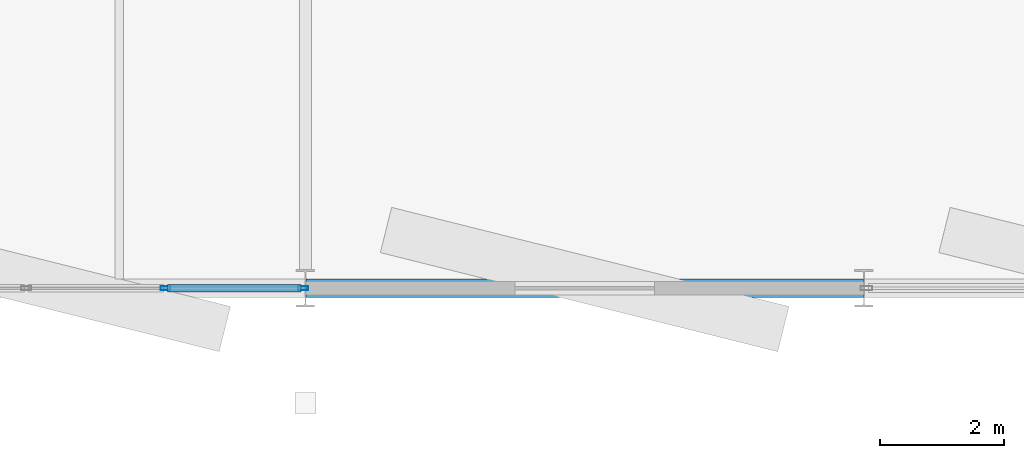
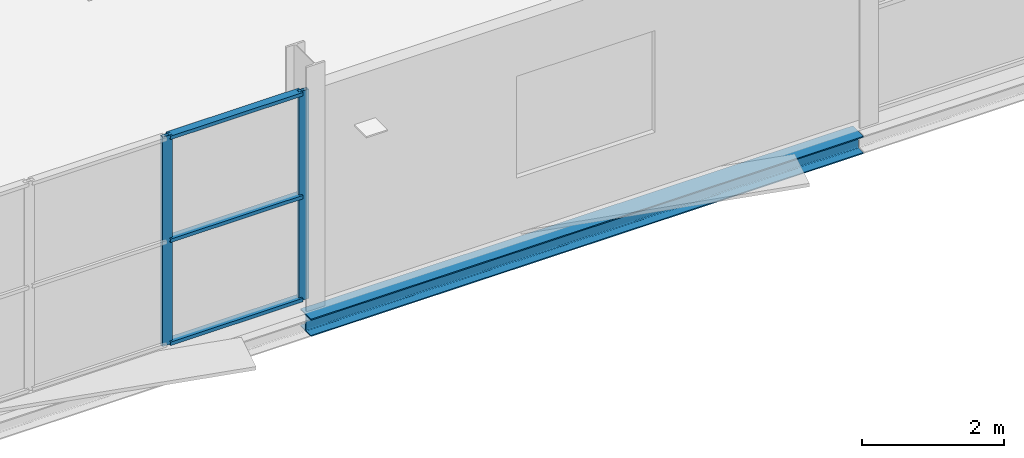
# One storey, part 45 of 88: 5 members, 1 beam, 1 element without a shape of its own.
"""IFC4 building model written with IfcOpenShell, lengths in metres."""

from ifc_helpers import new_model, si_unit, direction, frame, origin, origin_2d, place, context, subcontext, project, spatial, hollow_rectangle, i_section, extrude, material, layer, layer_set, material_profile, profile_set, type_object, element, aggregate, save


model = new_model("IFC4")

# Units and contexts
model_context = context("Model", 3, precision=1e-05, world=origin(), true_north=direction((0.0, 1.0)))
body_context = subcontext(model_context, "Body", "Model", "MODEL_VIEW")
ifc_project = project(units=[si_unit("LENGTHUNIT", "METRE"), si_unit("AREAUNIT", "SQUARE_METRE"), si_unit("VOLUMEUNIT", "CUBIC_METRE"), si_unit("PLANEANGLEUNIT", "RADIAN"), si_unit("MASSUNIT", "GRAM", prefix="KILO")], contexts=[model_context])

# Site, building, storey
site_placement = place(None, origin())
site = spatial("IfcSite", under=ifc_project, at=site_placement, CompositionType="ELEMENT")
building_placement = place(site_placement, origin())
building = spatial("IfcBuilding", under=site, at=building_placement, Name="Deido Ridge Mobility Hub", CompositionType="ELEMENT")
storey_placement = place(building_placement, frame((0.0, 0.0, 16.800048828125)))
storey = spatial("IfcBuildingStorey", under=building, at=storey_placement, Name="L04", CompositionType="ELEMENT", Elevation=16.800048828125)

# Curtain wall, members
ifc_material_1 = material(Name="Anodised aluminium EN AW-6063 T6", Category="aluminium")
ifc_layer = layer(ifc_material_1, 0.195068359375, Name="Anodised aluminium EN AW-6063 T6")
ifc_layer_set = layer_set([ifc_layer], Name="Anodised aluminium EN AW-6063 T6")
curtain_wall_type = type_object("IfcCurtainWallType", Name="CW-UF-3", PredefinedType="USERDEFINED", material=ifc_layer_set)
curtain_wall_placement = place(storey_placement, origin())
curtain_wall = element("IfcCurtainWall", 1, at=curtain_wall_placement, inside=storey, type_object=curtain_wall_type, Name="Unitised curtain wall CW3", ObjectType="UNITISED FACADE", PredefinedType="USERDEFINED")
ifc_material_profile_1 = material_profile(ifc_material_1, hollow_rectangle(XDim=0.06005859375, YDim=0.159912109375, WallThickness=0.00390625, at=origin_2d()), Name="RHS 60x160x4")
ifc_profile_set_1 = profile_set([ifc_material_profile_1], Name="Anodised aluminium EN AW-6063 T6")
member_type_1 = type_object("IfcMemberType", Name="MEM-MUL-60X160", PredefinedType="MULLION", material=ifc_profile_set_1)
member_1_placement = place(storey_placement, frame((159.74609375, 0.0, 0.0), z_axis=(0.0, 0.0, 1.0), x_axis=(0.0, 1.0, 0.0)))
member_1 = element("IfcMember", 2, at=member_1_placement, type_object=member_type_1, Name="CW3 mullion 4", PredefinedType="MULLION", context=body_context, shape_type="SweptSolid", body=[
    extrude(hollow_rectangle(XDim=0.06005859375, YDim=0.159912109375, WallThickness=0.00390625, at=origin_2d()), origin(), (0.0, 0.0, 1.0), 3.599853515625),
])
member_2_placement = place(storey_placement, frame((161.96240234375, 0.0, 0.0), z_axis=(0.0, 0.0, 1.0), x_axis=(0.0, 1.0, 0.0)))
member_2 = element("IfcMember", 3, at=member_2_placement, type_object=member_type_1, Name="CW3 mullion 5", PredefinedType="MULLION", context=body_context, shape_type="SweptSolid", body=[
    extrude(hollow_rectangle(XDim=0.06005859375, YDim=0.159912109375, WallThickness=0.00390625, at=origin_2d()), origin(), (0.0, 0.0, 1.0), 3.599853515625),
])
ifc_material_profile_2 = material_profile(ifc_material_1, hollow_rectangle(XDim=0.125, YDim=0.06005859375, WallThickness=0.00390625, at=origin_2d()), Name="RHS 125x60x4")
ifc_profile_set_2 = profile_set([ifc_material_profile_2], Name="Anodised aluminium EN AW-6063 T6")
member_type_2 = type_object("IfcMemberType", Name="MEM-TRN-125X60", PredefinedType="USERDEFINED", material=ifc_profile_set_2)
member_3_placement = place(storey_placement, frame((159.776123046875, 0.0, 0.030029296875), z_axis=(1.0, 0.0, 0.0), x_axis=(0.0, 1.0, 0.0)))
member_3 = element("IfcMember", 4, at=member_3_placement, type_object=member_type_2, Name="CW3 transom 4.1", ObjectType="TRANSOM", PredefinedType="USERDEFINED", context=body_context, shape_type="SweptSolid", body=[
    extrude(hollow_rectangle(XDim=0.125, YDim=0.06005859375, WallThickness=0.00390625, at=origin_2d()), origin(), (0.0, 0.0, 1.0), 2.15625),
])
member_4_placement = place(storey_placement, frame((159.776123046875, 0.0, 1.800048828125), z_axis=(1.0, 0.0, 0.0), x_axis=(0.0, 1.0, 0.0)))
member_4 = element("IfcMember", 5, at=member_4_placement, type_object=member_type_2, Name="CW3 transom 4.2", ObjectType="TRANSOM", PredefinedType="USERDEFINED", context=body_context, shape_type="SweptSolid", body=[
    extrude(hollow_rectangle(XDim=0.125, YDim=0.06005859375, WallThickness=0.00390625, at=origin_2d()), origin(), (0.0, 0.0, 1.0), 2.15625),
])
member_5_placement = place(storey_placement, frame((159.776123046875, 0.0, 3.570068359375), z_axis=(1.0, 0.0, 0.0), x_axis=(0.0, 1.0, 0.0)))
member_5 = element("IfcMember", 6, at=member_5_placement, type_object=member_type_2, Name="CW3 transom 4.3", ObjectType="TRANSOM", PredefinedType="USERDEFINED", context=body_context, shape_type="SweptSolid", body=[
    extrude(hollow_rectangle(XDim=0.125, YDim=0.06005859375, WallThickness=0.00390625, at=origin_2d()), origin(), (0.0, 0.0, 1.0), 2.15625),
])
aggregate(curtain_wall, [member_1, member_2, member_3, member_4, member_5])

# Beam
ifc_material_2 = material(Name="Steel S355J2 EN 10025-2", Category="steel")
ifc_material_profile_3 = material_profile(ifc_material_2, i_section(OverallWidth=0.300048828125, OverallDepth=0.300048828125, WebThickness=0.010986328125, FlangeThickness=0.01904296875, FilletRadius=0.027099609375, at=origin_2d()), Name="HEB 300")
ifc_profile_set_3 = profile_set([ifc_material_profile_3], Name="Steel S355J2 EN 10025-2")
beam_type = type_object("IfcBeamType", Name="SPD-HEB300", PredefinedType="SPANDREL", material=ifc_profile_set_3)
beam_placement = place(storey_placement, frame((162.0078125, 0.0, -0.425048828125), z_axis=(1.0, 0.0, 0.0), x_axis=(0.0, 1.0, 0.0)))
element("IfcBeam", 7, at=beam_placement, inside=storey, type_object=beam_type, Name="Floor beam SP1", PredefinedType="SPANDREL", context=body_context, shape_type="SweptSolid", body=[
    extrude(i_section(OverallWidth=0.300048828125, OverallDepth=0.300048828125, WebThickness=0.010986328125, FlangeThickness=0.01904296875, FilletRadius=0.027099609375, at=origin_2d()), origin(), (0.0, 0.0, 1.0), 8.984375),
])

save(model, "model.ifc")
